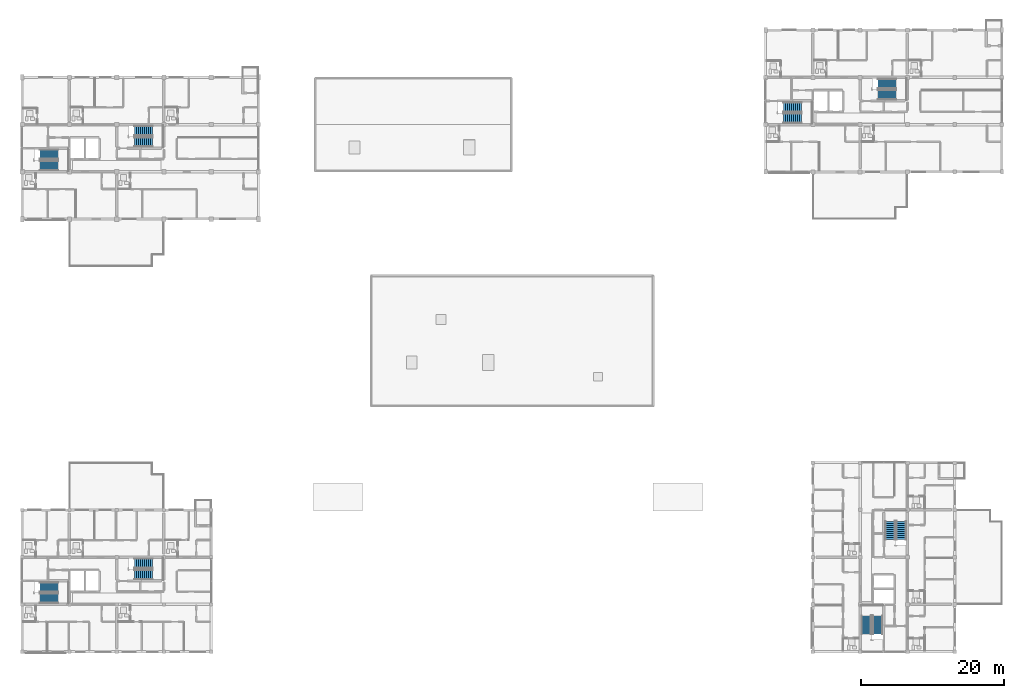
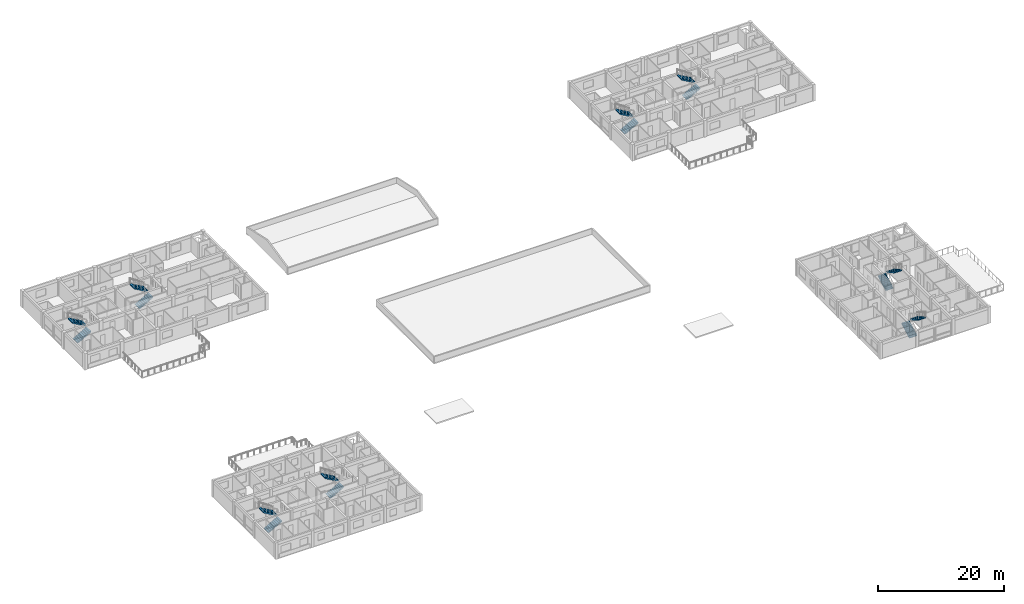
# One storey, part 42 of 51: 16 stair flights, 8 elements without a shape of their own.
"""IFC4 building model written with IfcOpenShell, lengths in metres."""

from ifc_helpers import new_model, si_unit, direction, frame, origin, place, context, subcontext, project, spatial, polyline, outline, extrude, material, type_object, element, aggregate, save


model = new_model("IFC4")

# Units and contexts
model_context = context("Model", 3, precision=1e-05, world=origin(), true_north=direction((0.0, 1.0)))
body_context = subcontext(model_context, "Body", "Model", "MODEL_VIEW")
ifc_project = project(units=[si_unit("LENGTHUNIT", "METRE"), si_unit("AREAUNIT", "SQUARE_METRE"), si_unit("VOLUMEUNIT", "CUBIC_METRE"), si_unit("PLANEANGLEUNIT", "RADIAN"), si_unit("MASSUNIT", "GRAM", prefix="KILO")], contexts=[model_context])

# Site, building, storey
site_placement = place(None, origin())
site = spatial("IfcSite", under=ifc_project, at=site_placement, CompositionType="ELEMENT")
building_placement = place(site_placement, origin())
building = spatial("IfcBuilding", under=site, at=building_placement, Name="Kernevlak Ridge Housing Community", CompositionType="ELEMENT")
storey_placement = place(building_placement, frame((0.0, 0.0, 8.39990234375)))
storey = spatial("IfcBuildingStorey", under=building, at=storey_placement, Name="L02", CompositionType="ELEMENT", Elevation=8.39990234375)

# Stair, stair flights
ifc_material = material(Name="Concrete C35/45", Category="concrete")
stair_type = type_object("IfcStairType", Name="SR-01", PredefinedType="HALF_TURN_STAIR", material=ifc_material)
stair_1_placement = place(storey_placement, origin())
stair_1 = element("IfcStair", 1, at=stair_1_placement, inside=storey, type_object=stair_type, Name="Stair ST-A1 L02", PredefinedType="HALF_TURN_STAIR")
stair_flight_type = type_object("IfcStairFlightType", Name="SF-01", PredefinedType="STRAIGHT", material=ifc_material)
stair_flight_1_placement = place(storey_placement, frame((18.080078125, 83.4599609375, 0.0), z_axis=(0.0, 0.0, 1.0), x_axis=(1.0, 0.0, 0.0)))
stair_flight_1 = element("IfcStairFlight", 2, at=stair_flight_1_placement, type_object=stair_flight_type, Name="SR-01 flight 1", NumberOfRisers=10, NumberOfTreads=9, PredefinedType="STRAIGHT", RiserHeight=0.16, TreadLength=0.28, context=body_context, shape_type="SweptSolid", body=[
    extrude(outline(polyline([(0.0, 0.0), (0.0, 0.159912109375), (0.280029296875, 0.159912109375), (0.280029296875, 0.320068359375), (0.56005859375, 0.320068359375), (0.56005859375, 0.47998046875), (0.840087890625, 0.47998046875), (0.840087890625, 0.639892578125), (1.1201171875, 0.639892578125), (1.1201171875, 0.800048828125), (1.39990234375, 0.800048828125), (1.39990234375, 0.9599609375), (1.679931640625, 0.9599609375), (1.679931640625, 1.1201171875), (1.9599609375, 1.1201171875), (1.9599609375, 1.280029296875), (2.239990234375, 1.280029296875), (2.239990234375, 1.43994140625), (2.52001953125, 1.43994140625), (2.52001953125, 1.60009765625), (2.52001953125, 1.244384765625), (0.342529296875, 0.0), (0.0, 0.0)])), frame((0.0, 0.699951171875, 0.0), z_axis=(0.0, -1.0, 0.0), x_axis=(1.0, 0.0, 0.0)), (0.0, 0.0, 1.0), 1.39990234375),
])
stair_flight_2_placement = place(storey_placement, frame((20.60009765625, 85.0400390625, 1.60009765625), z_axis=(0.0, 0.0, 1.0), x_axis=(-1.0, 0.0, 0.0)))
stair_flight_2 = element("IfcStairFlight", 3, at=stair_flight_2_placement, type_object=stair_flight_type, Name="SR-01 flight 2", NumberOfRisers=10, NumberOfTreads=9, PredefinedType="STRAIGHT", RiserHeight=0.16, TreadLength=0.28, context=body_context, shape_type="SweptSolid", body=[
    extrude(outline(polyline([(0.0, 0.0), (0.0, 0.159912109375), (0.280029296875, 0.159912109375), (0.280029296875, 0.320068359375), (0.56005859375, 0.320068359375), (0.56005859375, 0.47998046875), (0.840087890625, 0.47998046875), (0.840087890625, 0.639892578125), (1.1201171875, 0.639892578125), (1.1201171875, 0.800048828125), (1.39990234375, 0.800048828125), (1.39990234375, 0.9599609375), (1.679931640625, 0.9599609375), (1.679931640625, 1.1201171875), (1.9599609375, 1.1201171875), (1.9599609375, 1.280029296875), (2.239990234375, 1.280029296875), (2.239990234375, 1.43994140625), (2.52001953125, 1.43994140625), (2.52001953125, 1.60009765625), (2.52001953125, 1.244384765625), (0.342529296875, 0.0), (0.0, 0.0)])), frame((0.0, 0.699951171875, 0.0), z_axis=(0.0, -1.0, 0.0), x_axis=(1.0, 0.0, 0.0)), (0.0, 0.0, 1.0), 1.39990234375),
])
aggregate(stair_1, [stair_flight_1, stair_flight_2])

stair_2_placement = place(storey_placement, origin())
stair_2 = element("IfcStair", 4, at=stair_2_placement, inside=storey, type_object=stair_type, Name="Stair ST-A2 L02", PredefinedType="HALF_TURN_STAIR")
stair_flight_3_placement = place(storey_placement, frame((31.280029296875, 86.760009765625, 0.0), z_axis=(0.0, 0.0, 1.0), x_axis=(1.0, 0.0, 0.0)))
stair_flight_3 = element("IfcStairFlight", 5, at=stair_flight_3_placement, type_object=stair_flight_type, Name="SR-01 flight 1", NumberOfRisers=10, NumberOfTreads=9, PredefinedType="STRAIGHT", RiserHeight=0.16, TreadLength=0.28, context=body_context, shape_type="SweptSolid", body=[
    extrude(outline(polyline([(0.0, 0.0), (0.0, 0.159912109375), (0.280029296875, 0.159912109375), (0.280029296875, 0.320068359375), (0.56005859375, 0.320068359375), (0.56005859375, 0.47998046875), (0.840087890625, 0.47998046875), (0.840087890625, 0.639892578125), (1.1201171875, 0.639892578125), (1.1201171875, 0.800048828125), (1.39990234375, 0.800048828125), (1.39990234375, 0.9599609375), (1.679931640625, 0.9599609375), (1.679931640625, 1.1201171875), (1.9599609375, 1.1201171875), (1.9599609375, 1.280029296875), (2.239990234375, 1.280029296875), (2.239990234375, 1.43994140625), (2.52001953125, 1.43994140625), (2.52001953125, 1.60009765625), (2.52001953125, 1.244384765625), (0.342529296875, 0.0), (0.0, 0.0)])), frame((0.0, 0.699951171875, 0.0), z_axis=(0.0, -1.0, 0.0), x_axis=(1.0, 0.0, 0.0)), (0.0, 0.0, 1.0), 1.39990234375),
])
stair_flight_4_placement = place(storey_placement, frame((33.800048828125, 88.340087890625, 1.60009765625), z_axis=(0.0, 0.0, 1.0), x_axis=(-1.0, 0.0, 0.0)))
stair_flight_4 = element("IfcStairFlight", 6, at=stair_flight_4_placement, type_object=stair_flight_type, Name="SR-01 flight 2", NumberOfRisers=10, NumberOfTreads=9, PredefinedType="STRAIGHT", RiserHeight=0.16, TreadLength=0.28, context=body_context, shape_type="SweptSolid", body=[
    extrude(outline(polyline([(0.0, 0.0), (0.0, 0.159912109375), (0.280029296875, 0.159912109375), (0.280029296875, 0.320068359375), (0.56005859375, 0.320068359375), (0.56005859375, 0.47998046875), (0.840087890625, 0.47998046875), (0.840087890625, 0.639892578125), (1.1201171875, 0.639892578125), (1.1201171875, 0.800048828125), (1.39990234375, 0.800048828125), (1.39990234375, 0.9599609375), (1.679931640625, 0.9599609375), (1.679931640625, 1.1201171875), (1.9599609375, 1.1201171875), (1.9599609375, 1.280029296875), (2.239990234375, 1.280029296875), (2.239990234375, 1.43994140625), (2.52001953125, 1.43994140625), (2.52001953125, 1.60009765625), (2.52001953125, 1.244384765625), (0.342529296875, 0.0), (0.0, 0.0)])), frame((0.0, 0.699951171875, 0.0), z_axis=(0.0, -1.0, 0.0), x_axis=(1.0, 0.0, 0.0)), (0.0, 0.0, 1.0), 1.39990234375),
])
aggregate(stair_2, [stair_flight_3, stair_flight_4])

stair_3_placement = place(storey_placement, origin())
stair_3 = element("IfcStair", 7, at=stair_3_placement, inside=storey, type_object=stair_type, Name="Stair ST-B1 L02", PredefinedType="HALF_TURN_STAIR")
stair_flight_5_placement = place(storey_placement, frame((121.8798828125, 90.06005859375, 0.0), z_axis=(0.0, 0.0, 1.0), x_axis=(1.0, 0.0, 0.0)))
stair_flight_5 = element("IfcStairFlight", 8, at=stair_flight_5_placement, type_object=stair_flight_type, Name="SR-01 flight 1", NumberOfRisers=10, NumberOfTreads=9, PredefinedType="STRAIGHT", RiserHeight=0.16, TreadLength=0.28, context=body_context, shape_type="SweptSolid", body=[
    extrude(outline(polyline([(0.0, 0.0), (0.0, 0.159912109375), (0.280029296875, 0.159912109375), (0.280029296875, 0.320068359375), (0.56005859375, 0.320068359375), (0.56005859375, 0.47998046875), (0.840087890625, 0.47998046875), (0.840087890625, 0.639892578125), (1.1201171875, 0.639892578125), (1.1201171875, 0.800048828125), (1.39990234375, 0.800048828125), (1.39990234375, 0.9599609375), (1.679931640625, 0.9599609375), (1.679931640625, 1.1201171875), (1.9599609375, 1.1201171875), (1.9599609375, 1.280029296875), (2.239990234375, 1.280029296875), (2.239990234375, 1.43994140625), (2.52001953125, 1.43994140625), (2.52001953125, 1.60009765625), (2.52001953125, 1.244384765625), (0.342529296875, 0.0), (0.0, 0.0)])), frame((0.0, 0.699951171875, 0.0), z_axis=(0.0, -1.0, 0.0), x_axis=(1.0, 0.0, 0.0)), (0.0, 0.0, 1.0), 1.39990234375),
])
stair_flight_6_placement = place(storey_placement, frame((124.39990234375, 91.639892578125, 1.60009765625), z_axis=(0.0, 0.0, 1.0), x_axis=(-1.0, 0.0, 0.0)))
stair_flight_6 = element("IfcStairFlight", 9, at=stair_flight_6_placement, type_object=stair_flight_type, Name="SR-01 flight 2", NumberOfRisers=10, NumberOfTreads=9, PredefinedType="STRAIGHT", RiserHeight=0.16, TreadLength=0.28, context=body_context, shape_type="SweptSolid", body=[
    extrude(outline(polyline([(0.0, 0.0), (0.0, 0.159912109375), (0.280029296875, 0.159912109375), (0.280029296875, 0.320068359375), (0.56005859375, 0.320068359375), (0.56005859375, 0.47998046875), (0.840087890625, 0.47998046875), (0.840087890625, 0.639892578125), (1.1201171875, 0.639892578125), (1.1201171875, 0.800048828125), (1.39990234375, 0.800048828125), (1.39990234375, 0.9599609375), (1.679931640625, 0.9599609375), (1.679931640625, 1.1201171875), (1.9599609375, 1.1201171875), (1.9599609375, 1.280029296875), (2.239990234375, 1.280029296875), (2.239990234375, 1.43994140625), (2.52001953125, 1.43994140625), (2.52001953125, 1.60009765625), (2.52001953125, 1.244384765625), (0.342529296875, 0.0), (0.0, 0.0)])), frame((0.0, 0.699951171875, 0.0), z_axis=(0.0, -1.0, 0.0), x_axis=(1.0, 0.0, 0.0)), (0.0, 0.0, 1.0), 1.39990234375),
])
aggregate(stair_3, [stair_flight_5, stair_flight_6])

stair_4_placement = place(storey_placement, origin())
stair_4 = element("IfcStair", 10, at=stair_4_placement, inside=storey, type_object=stair_type, Name="Stair ST-B2 L02", PredefinedType="HALF_TURN_STAIR")
stair_flight_7_placement = place(storey_placement, frame((135.080078125, 93.360107421875, 0.0), z_axis=(0.0, 0.0, 1.0), x_axis=(1.0, 0.0, 0.0)))
stair_flight_7 = element("IfcStairFlight", 11, at=stair_flight_7_placement, type_object=stair_flight_type, Name="SR-01 flight 1", NumberOfRisers=10, NumberOfTreads=9, PredefinedType="STRAIGHT", RiserHeight=0.16, TreadLength=0.28, context=body_context, shape_type="SweptSolid", body=[
    extrude(outline(polyline([(0.0, 0.0), (0.0, 0.159912109375), (0.280029296875, 0.159912109375), (0.280029296875, 0.320068359375), (0.56005859375, 0.320068359375), (0.56005859375, 0.47998046875), (0.840087890625, 0.47998046875), (0.840087890625, 0.639892578125), (1.1201171875, 0.639892578125), (1.1201171875, 0.800048828125), (1.39990234375, 0.800048828125), (1.39990234375, 0.9599609375), (1.679931640625, 0.9599609375), (1.679931640625, 1.1201171875), (1.9599609375, 1.1201171875), (1.9599609375, 1.280029296875), (2.239990234375, 1.280029296875), (2.239990234375, 1.43994140625), (2.52001953125, 1.43994140625), (2.52001953125, 1.60009765625), (2.52001953125, 1.244384765625), (0.342529296875, 0.0), (0.0, 0.0)])), frame((0.0, 0.699951171875, 0.0), z_axis=(0.0, -1.0, 0.0), x_axis=(1.0, 0.0, 0.0)), (0.0, 0.0, 1.0), 1.39990234375),
])
stair_flight_8_placement = place(storey_placement, frame((137.60009765625, 94.93994140625, 1.60009765625), z_axis=(0.0, 0.0, 1.0), x_axis=(-1.0, 0.0, 0.0)))
stair_flight_8 = element("IfcStairFlight", 12, at=stair_flight_8_placement, type_object=stair_flight_type, Name="SR-01 flight 2", NumberOfRisers=10, NumberOfTreads=9, PredefinedType="STRAIGHT", RiserHeight=0.16, TreadLength=0.28, context=body_context, shape_type="SweptSolid", body=[
    extrude(outline(polyline([(0.0, 0.0), (0.0, 0.159912109375), (0.280029296875, 0.159912109375), (0.280029296875, 0.320068359375), (0.56005859375, 0.320068359375), (0.56005859375, 0.47998046875), (0.840087890625, 0.47998046875), (0.840087890625, 0.639892578125), (1.1201171875, 0.639892578125), (1.1201171875, 0.800048828125), (1.39990234375, 0.800048828125), (1.39990234375, 0.9599609375), (1.679931640625, 0.9599609375), (1.679931640625, 1.1201171875), (1.9599609375, 1.1201171875), (1.9599609375, 1.280029296875), (2.239990234375, 1.280029296875), (2.239990234375, 1.43994140625), (2.52001953125, 1.43994140625), (2.52001953125, 1.60009765625), (2.52001953125, 1.244384765625), (0.342529296875, 0.0), (0.0, 0.0)])), frame((0.0, 0.699951171875, 0.0), z_axis=(0.0, -1.0, 0.0), x_axis=(1.0, 0.0, 0.0)), (0.0, 0.0, 1.0), 1.39990234375),
])
aggregate(stair_4, [stair_flight_7, stair_flight_8])

stair_5_placement = place(storey_placement, origin())
stair_5 = element("IfcStair", 13, at=stair_5_placement, inside=storey, type_object=stair_type, Name="Stair ST-C1 L02", PredefinedType="HALF_TURN_STAIR")
stair_flight_9_placement = place(storey_placement, frame((133.4599609375, 18.080078125, 0.0), z_axis=(0.0, 0.0, 1.0), x_axis=(0.0, 1.0, 0.0)))
stair_flight_9 = element("IfcStairFlight", 14, at=stair_flight_9_placement, type_object=stair_flight_type, Name="SR-01 flight 1", NumberOfRisers=10, NumberOfTreads=9, PredefinedType="STRAIGHT", RiserHeight=0.16, TreadLength=0.28, context=body_context, shape_type="SweptSolid", body=[
    extrude(outline(polyline([(0.0, 0.0), (0.0, 0.159912109375), (0.280029296875, 0.159912109375), (0.280029296875, 0.320068359375), (0.56005859375, 0.320068359375), (0.56005859375, 0.47998046875), (0.840087890625, 0.47998046875), (0.840087890625, 0.639892578125), (1.1201171875, 0.639892578125), (1.1201171875, 0.800048828125), (1.39990234375, 0.800048828125), (1.39990234375, 0.9599609375), (1.679931640625, 0.9599609375), (1.679931640625, 1.1201171875), (1.9599609375, 1.1201171875), (1.9599609375, 1.280029296875), (2.239990234375, 1.280029296875), (2.239990234375, 1.43994140625), (2.52001953125, 1.43994140625), (2.52001953125, 1.60009765625), (2.52001953125, 1.244384765625), (0.342529296875, 0.0), (0.0, 0.0)])), frame((0.0, 0.699951171875, 0.0), z_axis=(0.0, -1.0, 0.0), x_axis=(1.0, 0.0, 0.0)), (0.0, 0.0, 1.0), 1.39990234375),
])
stair_flight_10_placement = place(storey_placement, frame((135.0400390625, 20.60009765625, 1.60009765625), z_axis=(0.0, 0.0, 1.0), x_axis=(0.0, -1.0, 0.0)))
stair_flight_10 = element("IfcStairFlight", 15, at=stair_flight_10_placement, type_object=stair_flight_type, Name="SR-01 flight 2", NumberOfRisers=10, NumberOfTreads=9, PredefinedType="STRAIGHT", RiserHeight=0.16, TreadLength=0.28, context=body_context, shape_type="SweptSolid", body=[
    extrude(outline(polyline([(0.0, 0.0), (0.0, 0.159912109375), (0.280029296875, 0.159912109375), (0.280029296875, 0.320068359375), (0.56005859375, 0.320068359375), (0.56005859375, 0.47998046875), (0.840087890625, 0.47998046875), (0.840087890625, 0.639892578125), (1.1201171875, 0.639892578125), (1.1201171875, 0.800048828125), (1.39990234375, 0.800048828125), (1.39990234375, 0.9599609375), (1.679931640625, 0.9599609375), (1.679931640625, 1.1201171875), (1.9599609375, 1.1201171875), (1.9599609375, 1.280029296875), (2.239990234375, 1.280029296875), (2.239990234375, 1.43994140625), (2.52001953125, 1.43994140625), (2.52001953125, 1.60009765625), (2.52001953125, 1.244384765625), (0.342529296875, 0.0), (0.0, 0.0)])), frame((0.0, 0.699951171875, 0.0), z_axis=(0.0, -1.0, 0.0), x_axis=(1.0, 0.0, 0.0)), (0.0, 0.0, 1.0), 1.39990234375),
])
aggregate(stair_5, [stair_flight_9, stair_flight_10])

stair_6_placement = place(storey_placement, origin())
stair_6 = element("IfcStair", 16, at=stair_6_placement, inside=storey, type_object=stair_type, Name="Stair ST-C2 L02", PredefinedType="HALF_TURN_STAIR")
stair_flight_11_placement = place(storey_placement, frame((136.760009765625, 31.280029296875, 0.0), z_axis=(0.0, 0.0, 1.0), x_axis=(0.0, 1.0, 0.0)))
stair_flight_11 = element("IfcStairFlight", 17, at=stair_flight_11_placement, type_object=stair_flight_type, Name="SR-01 flight 1", NumberOfRisers=10, NumberOfTreads=9, PredefinedType="STRAIGHT", RiserHeight=0.16, TreadLength=0.28, context=body_context, shape_type="SweptSolid", body=[
    extrude(outline(polyline([(0.0, 0.0), (0.0, 0.159912109375), (0.280029296875, 0.159912109375), (0.280029296875, 0.320068359375), (0.56005859375, 0.320068359375), (0.56005859375, 0.47998046875), (0.840087890625, 0.47998046875), (0.840087890625, 0.639892578125), (1.1201171875, 0.639892578125), (1.1201171875, 0.800048828125), (1.39990234375, 0.800048828125), (1.39990234375, 0.9599609375), (1.679931640625, 0.9599609375), (1.679931640625, 1.1201171875), (1.9599609375, 1.1201171875), (1.9599609375, 1.280029296875), (2.239990234375, 1.280029296875), (2.239990234375, 1.43994140625), (2.52001953125, 1.43994140625), (2.52001953125, 1.60009765625), (2.52001953125, 1.244384765625), (0.342529296875, 0.0), (0.0, 0.0)])), frame((0.0, 0.699951171875, 0.0), z_axis=(0.0, -1.0, 0.0), x_axis=(1.0, 0.0, 0.0)), (0.0, 0.0, 1.0), 1.39990234375),
])
stair_flight_12_placement = place(storey_placement, frame((138.340087890625, 33.800048828125, 1.60009765625), z_axis=(0.0, 0.0, 1.0), x_axis=(0.0, -1.0, 0.0)))
stair_flight_12 = element("IfcStairFlight", 18, at=stair_flight_12_placement, type_object=stair_flight_type, Name="SR-01 flight 2", NumberOfRisers=10, NumberOfTreads=9, PredefinedType="STRAIGHT", RiserHeight=0.16, TreadLength=0.28, context=body_context, shape_type="SweptSolid", body=[
    extrude(outline(polyline([(0.0, 0.0), (0.0, 0.159912109375), (0.280029296875, 0.159912109375), (0.280029296875, 0.320068359375), (0.56005859375, 0.320068359375), (0.56005859375, 0.47998046875), (0.840087890625, 0.47998046875), (0.840087890625, 0.639892578125), (1.1201171875, 0.639892578125), (1.1201171875, 0.800048828125), (1.39990234375, 0.800048828125), (1.39990234375, 0.9599609375), (1.679931640625, 0.9599609375), (1.679931640625, 1.1201171875), (1.9599609375, 1.1201171875), (1.9599609375, 1.280029296875), (2.239990234375, 1.280029296875), (2.239990234375, 1.43994140625), (2.52001953125, 1.43994140625), (2.52001953125, 1.60009765625), (2.52001953125, 1.244384765625), (0.342529296875, 0.0), (0.0, 0.0)])), frame((0.0, 0.699951171875, 0.0), z_axis=(0.0, -1.0, 0.0), x_axis=(1.0, 0.0, 0.0)), (0.0, 0.0, 1.0), 1.39990234375),
])
aggregate(stair_6, [stair_flight_11, stair_flight_12])

stair_7_placement = place(storey_placement, origin())
stair_7 = element("IfcStair", 19, at=stair_7_placement, inside=storey, type_object=stair_type, Name="Stair ST-D1 L02", PredefinedType="HALF_TURN_STAIR")
stair_flight_13_placement = place(storey_placement, frame((18.080078125, 23.06005859375, 0.0), z_axis=(0.0, 0.0, 1.0), x_axis=(1.0, 0.0, 0.0)))
stair_flight_13 = element("IfcStairFlight", 20, at=stair_flight_13_placement, type_object=stair_flight_type, Name="SR-01 flight 1", NumberOfRisers=10, NumberOfTreads=9, PredefinedType="STRAIGHT", RiserHeight=0.16, TreadLength=0.28, context=body_context, shape_type="SweptSolid", body=[
    extrude(outline(polyline([(0.0, 0.0), (0.0, 0.159912109375), (0.280029296875, 0.159912109375), (0.280029296875, 0.320068359375), (0.56005859375, 0.320068359375), (0.56005859375, 0.47998046875), (0.840087890625, 0.47998046875), (0.840087890625, 0.639892578125), (1.1201171875, 0.639892578125), (1.1201171875, 0.800048828125), (1.39990234375, 0.800048828125), (1.39990234375, 0.9599609375), (1.679931640625, 0.9599609375), (1.679931640625, 1.1201171875), (1.9599609375, 1.1201171875), (1.9599609375, 1.280029296875), (2.239990234375, 1.280029296875), (2.239990234375, 1.43994140625), (2.52001953125, 1.43994140625), (2.52001953125, 1.60009765625), (2.52001953125, 1.244384765625), (0.342529296875, 0.0), (0.0, 0.0)])), frame((0.0, 0.699951171875, 0.0), z_axis=(0.0, -1.0, 0.0), x_axis=(1.0, 0.0, 0.0)), (0.0, 0.0, 1.0), 1.39990234375),
])
stair_flight_14_placement = place(storey_placement, frame((20.60009765625, 24.639892578125, 1.60009765625), z_axis=(0.0, 0.0, 1.0), x_axis=(-1.0, 0.0, 0.0)))
stair_flight_14 = element("IfcStairFlight", 21, at=stair_flight_14_placement, type_object=stair_flight_type, Name="SR-01 flight 2", NumberOfRisers=10, NumberOfTreads=9, PredefinedType="STRAIGHT", RiserHeight=0.16, TreadLength=0.28, context=body_context, shape_type="SweptSolid", body=[
    extrude(outline(polyline([(0.0, 0.0), (0.0, 0.159912109375), (0.280029296875, 0.159912109375), (0.280029296875, 0.320068359375), (0.56005859375, 0.320068359375), (0.56005859375, 0.47998046875), (0.840087890625, 0.47998046875), (0.840087890625, 0.639892578125), (1.1201171875, 0.639892578125), (1.1201171875, 0.800048828125), (1.39990234375, 0.800048828125), (1.39990234375, 0.9599609375), (1.679931640625, 0.9599609375), (1.679931640625, 1.1201171875), (1.9599609375, 1.1201171875), (1.9599609375, 1.280029296875), (2.239990234375, 1.280029296875), (2.239990234375, 1.43994140625), (2.52001953125, 1.43994140625), (2.52001953125, 1.60009765625), (2.52001953125, 1.244384765625), (0.342529296875, 0.0), (0.0, 0.0)])), frame((0.0, 0.699951171875, 0.0), z_axis=(0.0, -1.0, 0.0), x_axis=(1.0, 0.0, 0.0)), (0.0, 0.0, 1.0), 1.39990234375),
])
aggregate(stair_7, [stair_flight_13, stair_flight_14])

stair_8_placement = place(storey_placement, origin())
stair_8 = element("IfcStair", 22, at=stair_8_placement, inside=storey, type_object=stair_type, Name="Stair ST-D2 L02", PredefinedType="HALF_TURN_STAIR")
stair_flight_15_placement = place(storey_placement, frame((31.280029296875, 26.360107421875, 0.0), z_axis=(0.0, 0.0, 1.0), x_axis=(1.0, 0.0, 0.0)))
stair_flight_15 = element("IfcStairFlight", 23, at=stair_flight_15_placement, type_object=stair_flight_type, Name="SR-01 flight 1", NumberOfRisers=10, NumberOfTreads=9, PredefinedType="STRAIGHT", RiserHeight=0.16, TreadLength=0.28, context=body_context, shape_type="SweptSolid", body=[
    extrude(outline(polyline([(0.0, 0.0), (0.0, 0.159912109375), (0.280029296875, 0.159912109375), (0.280029296875, 0.320068359375), (0.56005859375, 0.320068359375), (0.56005859375, 0.47998046875), (0.840087890625, 0.47998046875), (0.840087890625, 0.639892578125), (1.1201171875, 0.639892578125), (1.1201171875, 0.800048828125), (1.39990234375, 0.800048828125), (1.39990234375, 0.9599609375), (1.679931640625, 0.9599609375), (1.679931640625, 1.1201171875), (1.9599609375, 1.1201171875), (1.9599609375, 1.280029296875), (2.239990234375, 1.280029296875), (2.239990234375, 1.43994140625), (2.52001953125, 1.43994140625), (2.52001953125, 1.60009765625), (2.52001953125, 1.244384765625), (0.342529296875, 0.0), (0.0, 0.0)])), frame((0.0, 0.699951171875, 0.0), z_axis=(0.0, -1.0, 0.0), x_axis=(1.0, 0.0, 0.0)), (0.0, 0.0, 1.0), 1.39990234375),
])
stair_flight_16_placement = place(storey_placement, frame((33.800048828125, 27.93994140625, 1.60009765625), z_axis=(0.0, 0.0, 1.0), x_axis=(-1.0, 0.0, 0.0)))
stair_flight_16 = element("IfcStairFlight", 24, at=stair_flight_16_placement, type_object=stair_flight_type, Name="SR-01 flight 2", NumberOfRisers=10, NumberOfTreads=9, PredefinedType="STRAIGHT", RiserHeight=0.16, TreadLength=0.28, context=body_context, shape_type="SweptSolid", body=[
    extrude(outline(polyline([(0.0, 0.0), (0.0, 0.159912109375), (0.280029296875, 0.159912109375), (0.280029296875, 0.320068359375), (0.56005859375, 0.320068359375), (0.56005859375, 0.47998046875), (0.840087890625, 0.47998046875), (0.840087890625, 0.639892578125), (1.1201171875, 0.639892578125), (1.1201171875, 0.800048828125), (1.39990234375, 0.800048828125), (1.39990234375, 0.9599609375), (1.679931640625, 0.9599609375), (1.679931640625, 1.1201171875), (1.9599609375, 1.1201171875), (1.9599609375, 1.280029296875), (2.239990234375, 1.280029296875), (2.239990234375, 1.43994140625), (2.52001953125, 1.43994140625), (2.52001953125, 1.60009765625), (2.52001953125, 1.244384765625), (0.342529296875, 0.0), (0.0, 0.0)])), frame((0.0, 0.699951171875, 0.0), z_axis=(0.0, -1.0, 0.0), x_axis=(1.0, 0.0, 0.0)), (0.0, 0.0, 1.0), 1.39990234375),
])
aggregate(stair_8, [stair_flight_15, stair_flight_16])

save(model, "model.ifc")
